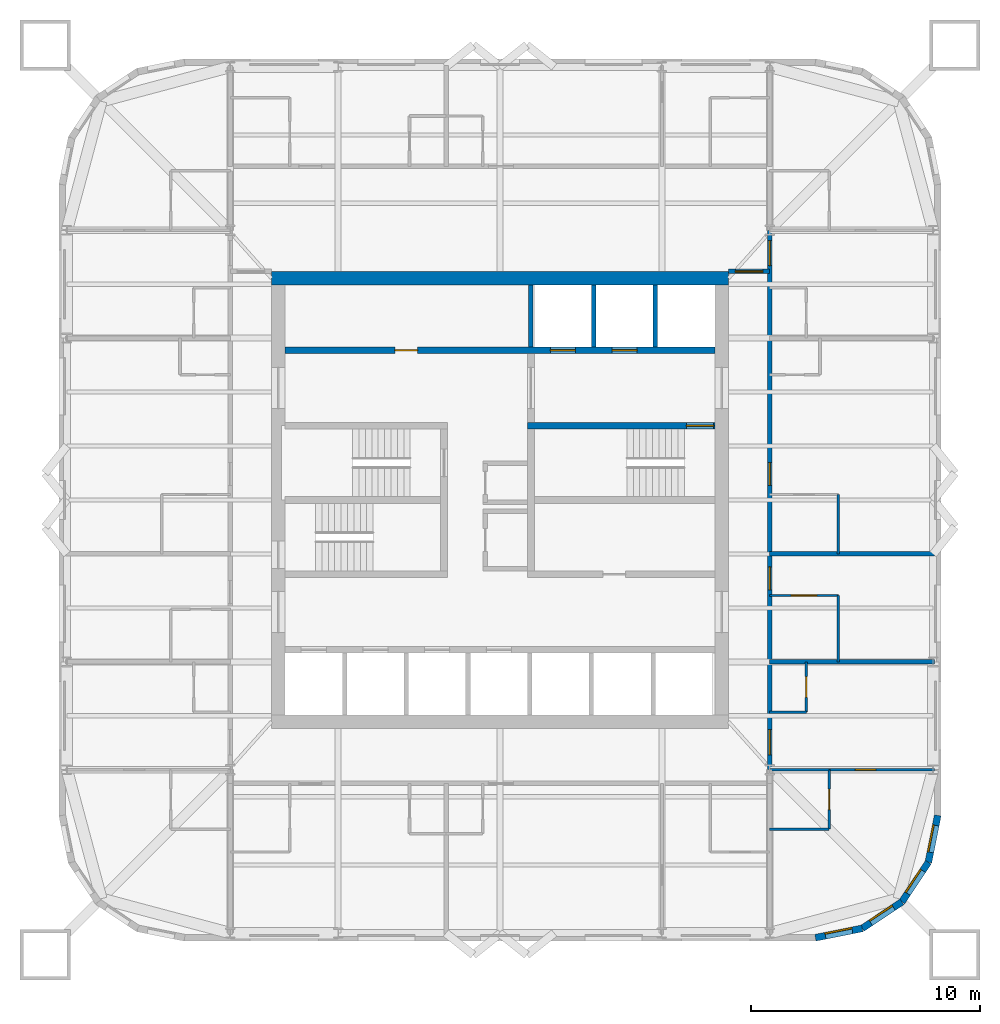
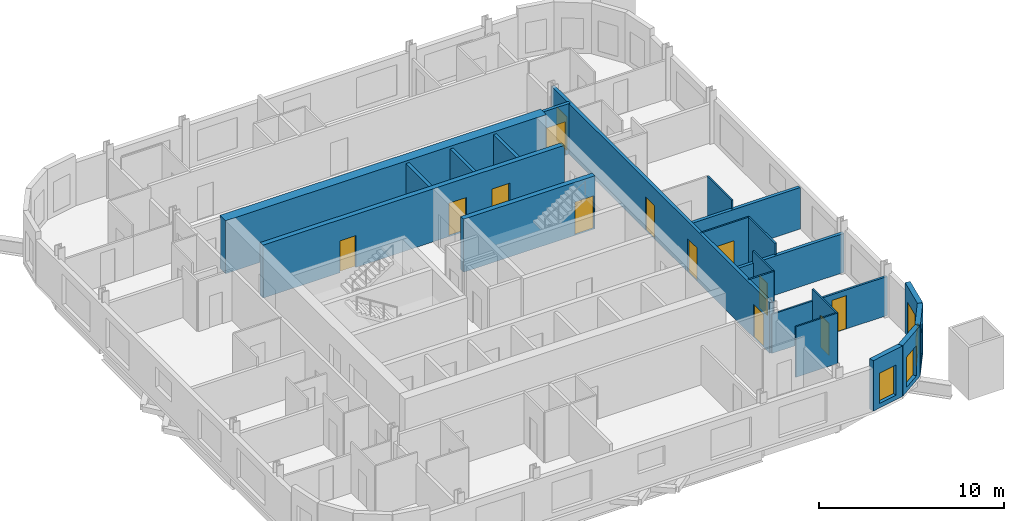
# One storey, part 5 of 8: 23 walls, 13 doors, 4 windows, 17 openings.
"""IFC4 building model written with IfcOpenShell, lengths in metres."""

from ifc_helpers import new_model, si_unit, direction, frame, frame_2d, origin, place, context, subcontext, project, spatial, rectangle, extrude, material, layer, layer_set, type_object, element, fill, save


model = new_model("IFC4")

# Units and contexts
model_context = context("Model", 3, precision=1e-05, world=origin(), true_north=direction((0.0, 1.0)))
body_context = subcontext(model_context, "Body", "Model", "MODEL_VIEW")
ifc_project = project(units=[si_unit("LENGTHUNIT", "METRE"), si_unit("AREAUNIT", "SQUARE_METRE"), si_unit("VOLUMEUNIT", "CUBIC_METRE"), si_unit("PLANEANGLEUNIT", "RADIAN"), si_unit("MASSUNIT", "GRAM", prefix="KILO")], contexts=[model_context])

# Site, building, storey
site_placement = place(None, origin())
site = spatial("IfcSite", under=ifc_project, at=site_placement, CompositionType="ELEMENT")
building_placement = place(site_placement, origin())
building = spatial("IfcBuilding", under=site, at=building_placement, Name="Turquesa Mirador Hotel Tower", CompositionType="ELEMENT")
storey_placement = place(building_placement, frame((0.0, 0.0, 193.300048828125)))
storey = spatial("IfcBuildingStorey", under=building, at=storey_placement, Name="L52", CompositionType="ELEMENT", Elevation=193.300048828125)

# Walls
ifc_material_1 = material(Name="Gypsum board on steel studs", Category="steel")
ifc_layer_1 = layer(ifc_material_1, 0.10009765625)
ifc_layer_set_1 = layer_set([ifc_layer_1], Name="BATHROOM WALL 100")
wall_type_1 = type_object("IfcWallType", Name="BATHROOM WALL 100", PredefinedType="PARTITIONING", material=ifc_layer_set_1)
wall_1_placement = place(storey_placement, frame((66.800048828125, 33.199951171875, 0.0), z_axis=(0.0, 0.0, 1.0), x_axis=(1.0, 0.0, 0.0)))
element("IfcWall", 1, at=wall_1_placement, inside=storey, type_object=wall_type_1, Name="Partition L52 002", PredefinedType="PARTITIONING", context=body_context, shape_type="SweptSolid", body=[
    extrude(rectangle(XDim=2.599853515625, YDim=0.10009765625, at=frame_2d((1.2998046875, 0.0))), origin(), (0.0, 0.0, 1.0), 2.572998046875),
])
wall_2_placement = place(storey_placement, frame((66.800048828125, 30.60009765625, 0.0), z_axis=(0.0, 0.0, 1.0), x_axis=(1.0, 0.0, 0.0)))
element("IfcWall", 2, at=wall_2_placement, inside=storey, type_object=wall_type_1, Name="Partition L52 007", PredefinedType="PARTITIONING", context=body_context, shape_type="SweptSolid", body=[
    extrude(rectangle(XDim=2.599853515625, YDim=0.10009765625, at=frame_2d((1.2998046875, 0.0))), origin(), (0.0, 0.0, 1.0), 3.329833984375),
])

# Wall, opening, door
wall_3_placement = place(storey_placement, frame((66.800048828125, 40.820068359375, 0.0), z_axis=(0.0, 0.0, 1.0), x_axis=(1.0, 0.0, 0.0)))
wall_3 = element("IfcWall", 3, at=wall_3_placement, inside=storey, type_object=wall_type_1, Name="Partition L52 014", PredefinedType="PARTITIONING", context=body_context, shape_type="SweptSolid", body=[
    extrude(rectangle(XDim=3.0, YDim=0.10009765625, at=frame_2d((1.5, 0.0))), origin(), (0.0, 0.0, 1.0), 3.329833984375),
])
opening_1_placement = place(wall_3_placement, frame((0.949951171875, 0.0, 0.0)))
opening_1 = element("IfcOpeningElement", 4, at=opening_1_placement, cuts=wall_3, Name="Opening D16", PredefinedType="OPENING", context=body_context, shape_type="SweptSolid", body=[
    extrude(rectangle(XDim=1.10009765625, YDim=2.10009765625, at=frame_2d((0.550048828125, 1.050048828125))), frame((0.0, 0.06005859375, 0.0), z_axis=(0.0, -1.0, 0.0), x_axis=(1.0, 0.0, 0.0)), (0.0, 0.0, 1.0), 0.1201171875),
])
ifc_material_2 = material(Name="Timber veneered sliding door", Category="wood")
door_type_1 = type_object("IfcDoorType", Name="DOOR 1100X2100 ACCESSIBLE EN-SUITE", OperationType="SLIDING_TO_LEFT", PredefinedType="DOOR", material=ifc_material_2)
door_1_placement = place(opening_1_placement, origin())
door_1 = element("IfcDoor", 5, at=door_1_placement, inside=storey, type_object=door_type_1, Name="Door 5205B", OperationType="SLIDING_TO_LEFT", OverallHeight=2.10009765625, OverallWidth=1.10009765625, PredefinedType="DOOR", context=body_context, shape_type="SweptSolid", body=[
    extrude(rectangle(XDim=1.10009765625, YDim=2.10009765625, at=frame_2d((0.550048828125, 1.050048828125))), frame((0.0, 0.02490234375, 0.0), z_axis=(0.0, -1.0, 0.0), x_axis=(1.0, 0.0, 0.0)), (0.0, 0.0, 1.0), 0.050048828125),
])
fill(opening_1, door_1)

# Wall
wall_4_placement = place(storey_placement, frame((66.800048828125, 35.719970703125, 0.0), z_axis=(0.0, 0.0, 1.0), x_axis=(1.0, 0.0, 0.0)))
element("IfcWall", 6, at=wall_4_placement, inside=storey, type_object=wall_type_1, Name="Partition L52 019", PredefinedType="PARTITIONING", context=body_context, shape_type="SweptSolid", body=[
    extrude(rectangle(XDim=1.599853515625, YDim=0.10009765625, at=frame_2d((0.7998046875, 0.0))), origin(), (0.0, 0.0, 1.0), 3.329833984375),
])

# Wall, opening, door
wall_5_placement = place(storey_placement, frame((68.39990234375, 35.719970703125, 0.0), z_axis=(0.0, 0.0, 1.0), x_axis=(0.0, 1.0, 0.0)))
wall_5 = element("IfcWall", 7, at=wall_5_placement, inside=storey, type_object=wall_type_1, Name="Partition L52 062", PredefinedType="PARTITIONING", context=body_context, shape_type="SweptSolid", body=[
    extrude(rectangle(XDim=2.199951171875, YDim=0.10009765625, at=frame_2d((1.10009765625, 0.0))), origin(), (0.0, 0.0, 1.0), 3.329833984375),
])
opening_2_placement = place(wall_5_placement, frame((0.64990234375, 0.0, 0.0)))
opening_2 = element("IfcOpeningElement", 8, at=opening_2_placement, cuts=wall_5, Name="Opening D06", PredefinedType="OPENING", context=body_context, shape_type="SweptSolid", body=[
    extrude(rectangle(XDim=0.89990234375, YDim=2.10009765625, at=frame_2d((0.449951171875, 1.050048828125))), frame((0.0, 0.06005859375, 0.0), z_axis=(0.0, -1.0, 0.0), x_axis=(1.0, 0.0, 0.0)), (0.0, 0.0, 1.0), 0.1201171875),
])
ifc_material_3 = material(Name="Laminate door", Category="wood")
door_type_2 = type_object("IfcDoorType", Name="DOOR 900X2100 WC", OperationType="SINGLE_SWING_LEFT", PredefinedType="DOOR", material=ifc_material_3)
door_2_placement = place(opening_2_placement, origin())
door_2 = element("IfcDoor", 9, at=door_2_placement, inside=storey, type_object=door_type_2, Name="Door 5212W", OperationType="SINGLE_SWING_LEFT", OverallHeight=2.10009765625, OverallWidth=0.89990234375, PredefinedType="DOOR", context=body_context, shape_type="SweptSolid", body=[
    extrude(rectangle(XDim=0.89990234375, YDim=2.10009765625, at=frame_2d((0.449951171875, 1.050048828125))), frame((0.0, 0.02490234375, 0.0), z_axis=(0.0, -1.0, 0.0), x_axis=(1.0, 0.0, 0.0)), (0.0, 0.0, 1.0), 0.050048828125),
])
fill(opening_2, door_2)

wall_6_placement = place(storey_placement, frame((69.39990234375, 30.60009765625, 0.0), z_axis=(0.0, 0.0, 1.0), x_axis=(0.0, 1.0, 0.0)))
wall_6 = element("IfcWall", 10, at=wall_6_placement, inside=storey, type_object=wall_type_1, Name="Partition L52 065", PredefinedType="PARTITIONING", context=body_context, shape_type="SweptSolid", body=[
    extrude(rectangle(XDim=2.599853515625, YDim=0.10009765625, at=frame_2d((1.2998046875, 0.0))), origin(), (0.0, 0.0, 1.0), 3.329833984375),
])
opening_3_placement = place(wall_6_placement, frame((0.85009765625, 0.0, 0.0)))
opening_3 = element("IfcOpeningElement", 11, at=opening_3_placement, cuts=wall_6, Name="Opening D02", PredefinedType="OPENING", context=body_context, shape_type="SweptSolid", body=[
    extrude(rectangle(XDim=0.89990234375, YDim=2.10009765625, at=frame_2d((0.449951171875, 1.050048828125))), frame((0.0, 0.06005859375, 0.0), z_axis=(0.0, -1.0, 0.0), x_axis=(1.0, 0.0, 0.0)), (0.0, 0.0, 1.0), 0.1201171875),
])
ifc_material_4 = material(Name="Timber veneered door", Category="wood")
door_type_3 = type_object("IfcDoorType", Name="DOOR 900X2100 EN-SUITE", OperationType="SINGLE_SWING_RIGHT", PredefinedType="DOOR", material=ifc_material_4)
door_3_placement = place(opening_3_placement, origin())
door_3 = element("IfcDoor", 12, at=door_3_placement, inside=storey, type_object=door_type_3, Name="Door 5212B", OperationType="SINGLE_SWING_RIGHT", OverallHeight=2.10009765625, OverallWidth=0.89990234375, PredefinedType="DOOR", context=body_context, shape_type="SweptSolid", body=[
    extrude(rectangle(XDim=0.89990234375, YDim=2.10009765625, at=frame_2d((0.449951171875, 1.050048828125))), frame((0.0, 0.02490234375, 0.0), z_axis=(0.0, -1.0, 0.0), x_axis=(1.0, 0.0, 0.0)), (0.0, 0.0, 1.0), 0.050048828125),
])
fill(opening_3, door_3)

# Walls
wall_7_placement = place(storey_placement, frame((69.800048828125, 37.919921875, 0.0), z_axis=(0.0, 0.0, 1.0), x_axis=(0.0, 1.0, 0.0)))
element("IfcWall", 13, at=wall_7_placement, inside=storey, type_object=wall_type_1, Name="Partition L52 067", PredefinedType="PARTITIONING", context=body_context, shape_type="SweptSolid", body=[
    extrude(rectangle(XDim=2.900146484375, YDim=0.10009765625, at=frame_2d((1.4501953125, 0.0))), origin(), (0.0, 0.0, 1.0), 3.329833984375),
])
wall_8_placement = place(storey_placement, frame((69.800048828125, 42.639892578125, 0.0), z_axis=(0.0, 0.0, 1.0), x_axis=(0.0, 1.0, 0.0)))
element("IfcWall", 14, at=wall_8_placement, inside=storey, type_object=wall_type_1, Name="Partition L52 068", PredefinedType="PARTITIONING", context=body_context, shape_type="SweptSolid", body=[
    extrude(rectangle(XDim=2.60009765625, YDim=0.10009765625, at=frame_2d((1.300048828125, 0.0))), origin(), (0.0, 0.0, 1.0), 3.329833984375),
])

# Wall, openings, doors
ifc_material_5 = material(Name="Concrete C50/60", Category="concrete")
ifc_layer_2 = layer(ifc_material_5, 0.300048828125)
ifc_layer_set_2 = layer_set([ifc_layer_2], Name="CORE INNER WALL 300")
wall_type_2 = type_object("IfcWallType", Name="CORE INNER WALL 300", PredefinedType="SHEAR", material=ifc_layer_set_2)
wall_9_placement = place(storey_placement, frame((45.60009765625, 51.550048828125, 0.0), z_axis=(0.0, 0.0, 1.0), x_axis=(1.0, 0.0, 0.0)))
wall_9 = element("IfcWall", 15, at=wall_9_placement, inside=storey, type_object=wall_type_2, Name="Core wall NL", PredefinedType="SHEAR", context=body_context, shape_type="SweptSolid", body=[
    extrude(rectangle(XDim=18.7998046875, YDim=0.300048828125, at=frame_2d((9.39990234375, 0.0))), origin(), (0.0, 0.0, 1.0), 3.5),
])
opening_4_placement = place(wall_9_placement, frame((4.800048828125, 0.0, 0.0)))
opening_4 = element("IfcOpeningElement", 16, at=opening_4_placement, cuts=wall_9, Name="Opening D05", PredefinedType="OPENING", context=body_context, shape_type="SweptSolid", body=[
    extrude(rectangle(XDim=1.0, YDim=2.10009765625, at=frame_2d((0.5, 1.050048828125))), frame((0.0, 0.159912109375, 0.0), z_axis=(0.0, -1.0, 0.0), x_axis=(1.0, 0.0, 0.0)), (0.0, 0.0, 1.0), 0.320068359375),
])
opening_5_placement = place(wall_9_placement, frame((11.60009765625, 0.0, 0.0)))
opening_5 = element("IfcOpeningElement", 17, at=opening_5_placement, cuts=wall_9, Name="Opening LD", PredefinedType="OPENING", context=body_context, shape_type="SweptSolid", body=[
    extrude(rectangle(XDim=1.10009765625, YDim=2.199951171875, at=frame_2d((0.550048828125, 1.10009765625))), frame((0.0, 0.159912109375, 0.0), z_axis=(0.0, -1.0, 0.0), x_axis=(1.0, 0.0, 0.0)), (0.0, 0.0, 1.0), 0.320068359375),
])
opening_6_placement = place(wall_9_placement, frame((14.300048828125, 0.0, 0.0)))
opening_6 = element("IfcOpeningElement", 18, at=opening_6_placement, cuts=wall_9, Name="Opening LD", PredefinedType="OPENING", context=body_context, shape_type="SweptSolid", body=[
    extrude(rectangle(XDim=1.10009765625, YDim=2.199951171875, at=frame_2d((0.550048828125, 1.10009765625))), frame((0.0, 0.159912109375, 0.0), z_axis=(0.0, -1.0, 0.0), x_axis=(1.0, 0.0, 0.0)), (0.0, 0.0, 1.0), 0.320068359375),
])
ifc_material_6 = material(Name="Steel fire door", Category="steel")
door_type_4 = type_object("IfcDoorType", Name="DOOR 1000X2100 SERVICE", OperationType="SINGLE_SWING_LEFT", PredefinedType="DOOR", material=ifc_material_6)
door_4_placement = place(opening_4_placement, origin())
door_4 = element("IfcDoor", 19, at=door_4_placement, inside=storey, type_object=door_type_4, Name="Linen store door", OperationType="SINGLE_SWING_LEFT", OverallHeight=2.10009765625, OverallWidth=1.0, PredefinedType="DOOR", context=body_context, shape_type="SweptSolid", body=[
    extrude(rectangle(XDim=1.0, YDim=2.10009765625, at=frame_2d((0.5, 1.050048828125))), frame((0.0, 0.02490234375, 0.0), z_axis=(0.0, -1.0, 0.0), x_axis=(1.0, 0.0, 0.0)), (0.0, 0.0, 1.0), 0.050048828125),
])
fill(opening_4, door_4)
ifc_material_7 = material(Name="Stainless steel lift landing door", Category="steel")
door_type_5 = type_object("IfcDoorType", Name="LIFT LANDING DOOR 1100X2200", OperationType="SLIDING_TO_LEFT", PredefinedType="DOOR", material=ifc_material_7)
door_5_placement = place(opening_5_placement, origin())
door_5 = element("IfcDoor", 20, at=door_5_placement, inside=storey, type_object=door_type_5, Name="Lift S1 landing door", OperationType="SLIDING_TO_LEFT", OverallHeight=2.199951171875, OverallWidth=1.10009765625, PredefinedType="DOOR", context=body_context, shape_type="SweptSolid", body=[
    extrude(rectangle(XDim=1.10009765625, YDim=2.199951171875, at=frame_2d((0.550048828125, 1.10009765625))), frame((0.0, 0.02490234375, 0.0), z_axis=(0.0, -1.0, 0.0), x_axis=(1.0, 0.0, 0.0)), (0.0, 0.0, 1.0), 0.050048828125),
])
fill(opening_5, door_5)
door_6_placement = place(opening_6_placement, origin())
door_6 = element("IfcDoor", 21, at=door_6_placement, inside=storey, type_object=door_type_5, Name="Lift S2 landing door", OperationType="SLIDING_TO_LEFT", OverallHeight=2.199951171875, OverallWidth=1.10009765625, PredefinedType="DOOR", context=body_context, shape_type="SweptSolid", body=[
    extrude(rectangle(XDim=1.10009765625, YDim=2.199951171875, at=frame_2d((0.550048828125, 1.10009765625))), frame((0.0, 0.02490234375, 0.0), z_axis=(0.0, -1.0, 0.0), x_axis=(1.0, 0.0, 0.0)), (0.0, 0.0, 1.0), 0.050048828125),
])
fill(opening_6, door_6)

# Wall, opening, door
wall_10_placement = place(storey_placement, frame((56.199951171875, 48.25, 0.0), z_axis=(0.0, 0.0, 1.0), x_axis=(1.0, 0.0, 0.0)))
wall_10 = element("IfcWall", 22, at=wall_10_placement, inside=storey, type_object=wall_type_2, Name="Core wall MN-E", PredefinedType="SHEAR", context=body_context, shape_type="SweptSolid", body=[
    extrude(rectangle(XDim=8.199951171875, YDim=0.300048828125, at=frame_2d((4.10009765625, 0.0))), origin(), (0.0, 0.0, 1.0), 3.5),
])
opening_7_placement = place(wall_10_placement, frame((6.949951171875, 0.0, 0.0)))
opening_7 = element("IfcOpeningElement", 23, at=opening_7_placement, cuts=wall_10, Name="Opening D03", PredefinedType="OPENING", context=body_context, shape_type="SweptSolid", body=[
    extrude(rectangle(XDim=1.199951171875, YDim=2.199951171875, at=frame_2d((0.60009765625, 1.10009765625))), frame((0.0, 0.159912109375, 0.0), z_axis=(0.0, -1.0, 0.0), x_axis=(1.0, 0.0, 0.0)), (0.0, 0.0, 1.0), 0.320068359375),
])
ifc_material_8 = material(Name="Steel fire door", Category="steel")
door_type_6 = type_object("IfcDoorType", Name="DOOR 1200X2200 STAIR", OperationType="SINGLE_SWING_LEFT", PredefinedType="DOOR", material=ifc_material_8)
door_7_placement = place(opening_7_placement, origin())
door_7 = element("IfcDoor", 24, at=door_7_placement, inside=storey, type_object=door_type_6, Name="Stair ST3 door", OperationType="SINGLE_SWING_LEFT", OverallHeight=2.199951171875, OverallWidth=1.199951171875, PredefinedType="DOOR", context=body_context, shape_type="SweptSolid", body=[
    extrude(rectangle(XDim=1.199951171875, YDim=2.199951171875, at=frame_2d((0.60009765625, 1.10009765625))), frame((0.0, 0.02490234375, 0.0), z_axis=(0.0, -1.0, 0.0), x_axis=(1.0, 0.0, 0.0)), (0.0, 0.0, 1.0), 0.050048828125),
])
fill(opening_7, door_7)

# Wall
ifc_material_9 = material(Name="Concrete C50/60", Category="concrete")
ifc_layer_3 = layer(ifc_material_9, 0.60009765625)
ifc_layer_set_3 = layer_set([ifc_layer_3], Name="CORE WALL 600")
wall_type_3 = type_object("IfcWallType", Name="CORE WALL 600", PredefinedType="SHEAR", material=ifc_layer_set_3)
wall_11_placement = place(storey_placement, frame((45.0, 54.699951171875, 0.0), z_axis=(0.0, 0.0, 1.0), x_axis=(1.0, 0.0, 0.0)))
element("IfcWall", 25, at=wall_11_placement, inside=storey, type_object=wall_type_3, Name="Core wall N", PredefinedType="SHEAR", context=body_context, shape_type="SweptSolid", body=[
    extrude(rectangle(XDim=20.0, YDim=0.60009765625, at=frame_2d((10.0, 0.0))), origin(), (0.0, 0.0, 1.0), 3.5),
])

# Wall, opening, door
ifc_material_10 = material(Name="Fire-rated gypsum board on steel studs", Category="steel")
ifc_layer_4 = layer(ifc_material_10, 0.199951171875)
ifc_layer_set_4 = layer_set([ifc_layer_4], Name="CORRIDOR WALL 200")
wall_type_4 = type_object("IfcWallType", Name="CORRIDOR WALL 200", PredefinedType="PARTITIONING", material=ifc_layer_set_4)
wall_12_placement = place(storey_placement, frame((65.0, 55.0, 0.0), z_axis=(0.0, 0.0, 1.0), x_axis=(1.0, 0.0, 0.0)))
wall_12 = element("IfcWall", 26, at=wall_12_placement, inside=storey, type_object=wall_type_4, Name="Partition L52 023", PredefinedType="PARTITIONING", context=body_context, shape_type="SweptSolid", body=[
    extrude(rectangle(XDim=1.800048828125, YDim=0.199951171875, at=frame_2d((0.89990234375, 0.0))), origin(), (0.0, 0.0, 1.0), 3.329833984375),
])
opening_8_placement = place(wall_12_placement, frame((0.300048828125, 0.0, 0.0)))
opening_8 = element("IfcOpeningElement", 27, at=opening_8_placement, cuts=wall_12, Name="Opening D19", PredefinedType="OPENING", context=body_context, shape_type="SweptSolid", body=[
    extrude(rectangle(XDim=1.199951171875, YDim=2.199951171875, at=frame_2d((0.60009765625, 1.10009765625))), frame((0.0, 0.10986328125, 0.0), z_axis=(0.0, -1.0, 0.0), x_axis=(1.0, 0.0, 0.0)), (0.0, 0.0, 1.0), 0.219970703125),
])
ifc_material_11 = material(Name="Steel glazed fire door", Category="steel")
door_type_7 = type_object("IfcDoorType", Name="DOOR 1200X2200 FIRE DOOR GLAZED", OperationType="SINGLE_SWING_LEFT", PredefinedType="DOOR", material=ifc_material_11)
door_8_placement = place(opening_8_placement, origin())
door_8 = element("IfcDoor", 28, at=door_8_placement, inside=storey, type_object=door_type_7, Name="Door L52-C03-1", OperationType="SINGLE_SWING_LEFT", OverallHeight=2.199951171875, OverallWidth=1.199951171875, PredefinedType="DOOR", context=body_context, shape_type="SweptSolid", body=[
    extrude(rectangle(XDim=1.199951171875, YDim=2.199951171875, at=frame_2d((0.60009765625, 1.10009765625))), frame((0.0, 0.02490234375, 0.0), z_axis=(0.0, -1.0, 0.0), x_axis=(1.0, 0.0, 0.0)), (0.0, 0.0, 1.0), 0.050048828125),
])
fill(opening_8, door_8)

# Wall, openings, doors
wall_13_placement = place(storey_placement, frame((66.800048828125, 33.219970703125, 0.0), z_axis=(0.0, 0.0, 1.0), x_axis=(0.0, 1.0, 0.0)))
wall_13 = element("IfcWall", 29, at=wall_13_placement, inside=storey, type_object=wall_type_4, Name="Partition L52 059", PredefinedType="PARTITIONING", context=body_context, shape_type="SweptSolid", body=[
    extrude(rectangle(XDim=23.56005859375, YDim=0.199951171875, at=frame_2d((11.780029296875, 0.0))), origin(), (0.0, 0.0, 1.0), 3.329833984375),
])
opening_9_placement = place(wall_13_placement, frame((7.85009765625, 0.0, 0.0)))
opening_9 = element("IfcOpeningElement", 30, at=opening_9_placement, cuts=wall_13, Name="Opening D01", PredefinedType="OPENING", context=body_context, shape_type="SweptSolid", body=[
    extrude(rectangle(XDim=1.0, YDim=2.199951171875, at=frame_2d((0.5, 1.10009765625))), frame((0.0, 0.10986328125, 0.0), z_axis=(0.0, -1.0, 0.0), x_axis=(1.0, 0.0, 0.0)), (0.0, 0.0, 1.0), 0.219970703125),
])
opening_10_placement = place(wall_13_placement, frame((12.419921875, 0.0, 0.0)))
opening_10 = element("IfcOpeningElement", 31, at=opening_10_placement, cuts=wall_13, Name="Opening D01", PredefinedType="OPENING", context=body_context, shape_type="SweptSolid", body=[
    extrude(rectangle(XDim=1.0, YDim=2.199951171875, at=frame_2d((0.5, 1.10009765625))), frame((0.0, 0.10986328125, 0.0), z_axis=(0.0, -1.0, 0.0), x_axis=(1.0, 0.0, 0.0)), (0.0, 0.0, 1.0), 0.219970703125),
])
opening_11_placement = place(wall_13_placement, frame((22.030029296875, 0.0, 0.0)))
opening_11 = element("IfcOpeningElement", 32, at=opening_11_placement, cuts=wall_13, Name="Opening D15", PredefinedType="OPENING", context=body_context, shape_type="SweptSolid", body=[
    extrude(rectangle(XDim=1.10009765625, YDim=2.199951171875, at=frame_2d((0.550048828125, 1.10009765625))), frame((0.0, 0.10986328125, 0.0), z_axis=(0.0, -1.0, 0.0), x_axis=(1.0, 0.0, 0.0)), (0.0, 0.0, 1.0), 0.219970703125),
])
opening_12_placement = place(wall_13_placement, frame((0.6298828125, 0.0, 0.0)))
opening_12 = element("IfcOpeningElement", 33, at=opening_12_placement, cuts=wall_13, Name="Opening D15", PredefinedType="OPENING", context=body_context, shape_type="SweptSolid", body=[
    extrude(rectangle(XDim=1.10009765625, YDim=2.199951171875, at=frame_2d((0.550048828125, 1.10009765625))), frame((0.0, 0.10986328125, 0.0), z_axis=(0.0, -1.0, 0.0), x_axis=(1.0, 0.0, 0.0)), (0.0, 0.0, 1.0), 0.219970703125),
])
ifc_material_12 = material(Name="Timber veneered fire door", Category="wood")
door_type_8 = type_object("IfcDoorType", Name="DOOR 1000X2200 GUEST ENTRY", OperationType="SINGLE_SWING_LEFT", PredefinedType="DOOR", material=ifc_material_12)
door_9_placement = place(opening_9_placement, origin())
door_9 = element("IfcDoor", 34, at=door_9_placement, inside=storey, type_object=door_type_8, Name="Door 5205", OperationType="SINGLE_SWING_LEFT", OverallHeight=2.199951171875, OverallWidth=1.0, PredefinedType="DOOR", context=body_context, shape_type="SweptSolid", body=[
    extrude(rectangle(XDim=1.0, YDim=2.199951171875, at=frame_2d((0.5, 1.10009765625))), frame((0.0, 0.02490234375, 0.0), z_axis=(0.0, -1.0, 0.0), x_axis=(1.0, 0.0, 0.0)), (0.0, 0.0, 1.0), 0.050048828125),
])
fill(opening_9, door_9)
door_10_placement = place(opening_10_placement, origin())
door_10 = element("IfcDoor", 35, at=door_10_placement, inside=storey, type_object=door_type_8, Name="Door 5206", OperationType="SINGLE_SWING_LEFT", OverallHeight=2.199951171875, OverallWidth=1.0, PredefinedType="DOOR", context=body_context, shape_type="SweptSolid", body=[
    extrude(rectangle(XDim=1.0, YDim=2.199951171875, at=frame_2d((0.5, 1.10009765625))), frame((0.0, 0.02490234375, 0.0), z_axis=(0.0, -1.0, 0.0), x_axis=(1.0, 0.0, 0.0)), (0.0, 0.0, 1.0), 0.050048828125),
])
fill(opening_10, door_10)
ifc_material_13 = material(Name="Timber veneered fire door", Category="wood")
door_type_9 = type_object("IfcDoorType", Name="DOOR 1100X2200 SUITE ENTRY", OperationType="SINGLE_SWING_LEFT", PredefinedType="DOOR", material=ifc_material_13)
door_11_placement = place(opening_11_placement, origin())
door_11 = element("IfcDoor", 36, at=door_11_placement, inside=storey, type_object=door_type_9, Name="Door 5209", OperationType="SINGLE_SWING_LEFT", OverallHeight=2.199951171875, OverallWidth=1.10009765625, PredefinedType="DOOR", context=body_context, shape_type="SweptSolid", body=[
    extrude(rectangle(XDim=1.10009765625, YDim=2.199951171875, at=frame_2d((0.550048828125, 1.10009765625))), frame((0.0, 0.02490234375, 0.0), z_axis=(0.0, -1.0, 0.0), x_axis=(1.0, 0.0, 0.0)), (0.0, 0.0, 1.0), 0.050048828125),
])
fill(opening_11, door_11)
door_12_placement = place(opening_12_placement, origin())
door_12 = element("IfcDoor", 37, at=door_12_placement, inside=storey, type_object=door_type_9, Name="Door 5212", OperationType="SINGLE_SWING_LEFT", OverallHeight=2.199951171875, OverallWidth=1.10009765625, PredefinedType="DOOR", context=body_context, shape_type="SweptSolid", body=[
    extrude(rectangle(XDim=1.10009765625, YDim=2.199951171875, at=frame_2d((0.550048828125, 1.10009765625))), frame((0.0, 0.02490234375, 0.0), z_axis=(0.0, -1.0, 0.0), x_axis=(1.0, 0.0, 0.0)), (0.0, 0.0, 1.0), 0.050048828125),
])
fill(opening_12, door_12)

# Wall, opening, window
ifc_material_14 = material(Name="Limestone cladding on concrete block", Category="masonry")
ifc_layer_5 = layer(ifc_material_14, 0.300048828125)
ifc_layer_set_5 = layer_set([ifc_layer_5], Name="FACADE WALL 300 STONE SCREEN")
wall_type_5 = type_object("IfcWallType", Name="FACADE WALL 300 STONE SCREEN", PredefinedType="SOLIDWALL", material=ifc_layer_set_5)
wall_14_placement = place(storey_placement, frame((68.800048828125, 25.85009765625, 0.0), z_axis=(0.0, 0.0, 1.0), x_axis=(0.980787050784, 0.195081421501, 0.0)))
wall_14 = element("IfcWall", 38, at=wall_14_placement, inside=storey, type_object=wall_type_5, Name="Facade wall L52 00", PredefinedType="SOLIDWALL", context=body_context, shape_type="SweptSolid", body=[
    extrude(rectangle(XDim=2.08740234375, YDim=0.300048828125, at=frame_2d((1.043701171875, 0.0))), origin(), (0.0, 0.0, 1.0), 3.329833984375),
])
opening_13_placement = place(wall_14_placement, frame((0.443603515625, 0.0, 0.300048828125)))
opening_13 = element("IfcOpeningElement", 39, at=opening_13_placement, cuts=wall_14, Name="Opening WN4", PredefinedType="OPENING", context=body_context, shape_type="SweptSolid", body=[
    extrude(rectangle(XDim=1.199951171875, YDim=2.0, at=frame_2d((0.60009765625, 1.0))), frame((0.0, 0.159912109375, 0.0), z_axis=(0.0, -1.0, 0.0), x_axis=(1.0, 0.0, 0.0)), (0.0, 0.0, 1.0), 0.320068359375),
])
ifc_material_15 = material(Name="Ceramic-fritted laminated glass", Category="glass")
window_type = type_object("IfcWindowType", Name="FRITTED CORNER WINDOW 1200X2000", PartitioningType="DOUBLE_PANEL_HORIZONTAL", PredefinedType="WINDOW", material=ifc_material_15)
window_1_placement = place(opening_13_placement, origin())
window_1 = element("IfcWindow", 40, at=window_1_placement, inside=storey, type_object=window_type, Name="Window L52", OverallHeight=2.0, OverallWidth=1.199951171875, PartitioningType="SINGLE_PANEL", PredefinedType="WINDOW", context=body_context, shape_type="SweptSolid", body=[
    extrude(rectangle(XDim=1.199951171875, YDim=2.0, at=frame_2d((0.60009765625, 1.0))), frame((0.0, 0.130126953125, 0.0), z_axis=(0.0, -1.0, 0.0), x_axis=(1.0, 0.0, 0.0)), (0.0, 0.0, 1.0), 0.06005859375),
])
fill(opening_13, window_1)

wall_15_placement = place(storey_placement, frame((70.847412109375, 26.25732421875, 0.0), z_axis=(0.0, 0.0, 1.0), x_axis=(0.831474039234, 0.555563607591, 0.0)))
wall_15 = element("IfcWall", 41, at=wall_15_placement, inside=storey, type_object=wall_type_5, Name="Facade wall L52 01", PredefinedType="SOLIDWALL", context=body_context, shape_type="SweptSolid", body=[
    extrude(rectangle(XDim=2.08740234375, YDim=0.300048828125, at=frame_2d((1.043701171875, 0.0))), origin(), (0.0, 0.0, 1.0), 3.329833984375),
])
opening_14_placement = place(wall_15_placement, frame((0.443603515625, 0.0, 0.300048828125)))
opening_14 = element("IfcOpeningElement", 42, at=opening_14_placement, cuts=wall_15, Name="Opening WN4", PredefinedType="OPENING", context=body_context, shape_type="SweptSolid", body=[
    extrude(rectangle(XDim=1.199951171875, YDim=2.0, at=frame_2d((0.60009765625, 1.0))), frame((0.0, 0.159912109375, 0.0), z_axis=(0.0, -1.0, 0.0), x_axis=(1.0, 0.0, 0.0)), (0.0, 0.0, 1.0), 0.320068359375),
])
window_2_placement = place(opening_14_placement, origin())
window_2 = element("IfcWindow", 43, at=window_2_placement, inside=storey, type_object=window_type, Name="Window L52", OverallHeight=2.0, OverallWidth=1.199951171875, PartitioningType="SINGLE_PANEL", PredefinedType="WINDOW", context=body_context, shape_type="SweptSolid", body=[
    extrude(rectangle(XDim=1.199951171875, YDim=2.0, at=frame_2d((0.60009765625, 1.0))), frame((0.0, 0.130126953125, 0.0), z_axis=(0.0, -1.0, 0.0), x_axis=(1.0, 0.0, 0.0)), (0.0, 0.0, 1.0), 0.06005859375),
])
fill(opening_14, window_2)

wall_16_placement = place(storey_placement, frame((72.5830078125, 27.4169921875, 0.0), z_axis=(0.0, 0.0, 1.0), x_axis=(0.555563607591, 0.831474039234, 0.0)))
wall_16 = element("IfcWall", 44, at=wall_16_placement, inside=storey, type_object=wall_type_5, Name="Facade wall L52 02", PredefinedType="SOLIDWALL", context=body_context, shape_type="SweptSolid", body=[
    extrude(rectangle(XDim=2.08740234375, YDim=0.300048828125, at=frame_2d((1.043701171875, 0.0))), origin(), (0.0, 0.0, 1.0), 3.329833984375),
])
opening_15_placement = place(wall_16_placement, frame((0.443603515625, 0.0, 0.300048828125)))
opening_15 = element("IfcOpeningElement", 45, at=opening_15_placement, cuts=wall_16, Name="Opening WN4", PredefinedType="OPENING", context=body_context, shape_type="SweptSolid", body=[
    extrude(rectangle(XDim=1.199951171875, YDim=2.0, at=frame_2d((0.60009765625, 1.0))), frame((0.0, 0.159912109375, 0.0), z_axis=(0.0, -1.0, 0.0), x_axis=(1.0, 0.0, 0.0)), (0.0, 0.0, 1.0), 0.320068359375),
])
window_3_placement = place(opening_15_placement, origin())
window_3 = element("IfcWindow", 46, at=window_3_placement, inside=storey, type_object=window_type, Name="Window L52", OverallHeight=2.0, OverallWidth=1.199951171875, PartitioningType="SINGLE_PANEL", PredefinedType="WINDOW", context=body_context, shape_type="SweptSolid", body=[
    extrude(rectangle(XDim=1.199951171875, YDim=2.0, at=frame_2d((0.60009765625, 1.0))), frame((0.0, 0.130126953125, 0.0), z_axis=(0.0, -1.0, 0.0), x_axis=(1.0, 0.0, 0.0)), (0.0, 0.0, 1.0), 0.06005859375),
])
fill(opening_15, window_3)

wall_17_placement = place(storey_placement, frame((73.74267578125, 29.152587890625, 0.0), z_axis=(0.0, 0.0, 1.0), x_axis=(0.195081421501, 0.980787050784, 0.0)))
wall_17 = element("IfcWall", 47, at=wall_17_placement, inside=storey, type_object=wall_type_5, Name="Facade wall L52 03", PredefinedType="SOLIDWALL", context=body_context, shape_type="SweptSolid", body=[
    extrude(rectangle(XDim=2.08740234375, YDim=0.300048828125, at=frame_2d((1.043701171875, 0.0))), origin(), (0.0, 0.0, 1.0), 3.329833984375),
])
opening_16_placement = place(wall_17_placement, frame((0.443603515625, 0.0, 0.300048828125)))
opening_16 = element("IfcOpeningElement", 48, at=opening_16_placement, cuts=wall_17, Name="Opening WN4", PredefinedType="OPENING", context=body_context, shape_type="SweptSolid", body=[
    extrude(rectangle(XDim=1.199951171875, YDim=2.0, at=frame_2d((0.60009765625, 1.0))), frame((0.0, 0.159912109375, 0.0), z_axis=(0.0, -1.0, 0.0), x_axis=(1.0, 0.0, 0.0)), (0.0, 0.0, 1.0), 0.320068359375),
])
window_4_placement = place(opening_16_placement, origin())
window_4 = element("IfcWindow", 49, at=window_4_placement, inside=storey, type_object=window_type, Name="Window L52", OverallHeight=2.0, OverallWidth=1.199951171875, PartitioningType="SINGLE_PANEL", PredefinedType="WINDOW", context=body_context, shape_type="SweptSolid", body=[
    extrude(rectangle(XDim=1.199951171875, YDim=2.0, at=frame_2d((0.60009765625, 1.0))), frame((0.0, 0.130126953125, 0.0), z_axis=(0.0, -1.0, 0.0), x_axis=(1.0, 0.0, 0.0)), (0.0, 0.0, 1.0), 0.06005859375),
])
fill(opening_16, window_4)

# Walls
ifc_material_16 = material(Name="Fire-rated gypsum shaft wall on steel studs", Category="steel")
ifc_layer_6 = layer(ifc_material_16, 0.199951171875)
ifc_layer_set_6 = layer_set([ifc_layer_6], Name="LIFT SHAFT DIVIDER 200")
wall_type_6 = type_object("IfcWallType", Name="LIFT SHAFT DIVIDER 200", PredefinedType="PARTITIONING", material=ifc_layer_set_6)
for number, where, z_axis, x_axis, name in (
    (50, (59.10009765625, 51.699951171875, 0.0), (0.0, 0.0, 1.0), (0.0, 1.0, 0.0), "Lift shaft divider"),
    (51, (61.800048828125, 51.699951171875, 0.0), (0.0, 0.0, 1.0), (0.0, 1.0, 0.0), "Lift shaft divider"),
    (52, (56.35009765625, 51.699951171875, 0.0), (0.0, 0.0, 1.0), (0.0, 1.0, 0.0), "Lift shaft divider"),
):
    element("IfcWall", number, at=place(storey_placement, frame(where, z_axis=z_axis, x_axis=x_axis)), inside=storey, type_object=wall_type_6, Name=name, PredefinedType="PARTITIONING", context=body_context, shape_type="SweptSolid", body=[
        extrude(rectangle(XDim=2.699951171875, YDim=0.199951171875, at=frame_2d((1.35009765625, 0.0))), origin(), (0.0, 0.0, 1.0), 3.329833984375),
    ])
ifc_material_17 = material(Name="Fire-rated gypsum board on steel studs", Category="steel")
ifc_layer_7 = layer(ifc_material_17, 0.199951171875)
ifc_layer_set_7 = layer_set([ifc_layer_7], Name="PARTY WALL 200")
wall_type_7 = type_object("IfcWallType", Name="PARTY WALL 200", PredefinedType="PARTITIONING", material=ifc_layer_set_7)
wall_18_placement = place(storey_placement, frame((66.800048828125, 42.639892578125, 0.0), z_axis=(0.0, 0.0, 1.0), x_axis=(1.0, 0.0, 0.0)))
element("IfcWall", 53, at=wall_18_placement, inside=storey, type_object=wall_type_7, Name="Partition L52 013", PredefinedType="PARTITIONING", context=body_context, shape_type="SweptSolid", body=[
    extrude(rectangle(XDim=7.199951171875, YDim=0.199951171875, at=frame_2d((3.60009765625, 0.0))), origin(), (0.0, 0.0, 1.0), 2.73046875),
])
wall_19_placement = place(storey_placement, frame((66.800048828125, 37.919921875, 0.0), z_axis=(0.0, 0.0, 1.0), x_axis=(1.0, 0.0, 0.0)))
element("IfcWall", 54, at=wall_19_placement, inside=storey, type_object=wall_type_7, Name="Partition L52 017", PredefinedType="PARTITIONING", context=body_context, shape_type="SweptSolid", body=[
    extrude(rectangle(XDim=7.199951171875, YDim=0.199951171875, at=frame_2d((3.60009765625, 0.0))), origin(), (0.0, 0.0, 1.0), 2.572998046875),
])

# Wall, opening, door
ifc_material_18 = material(Name="Acoustic gypsum board on steel studs", Category="steel")
ifc_layer_8 = layer(ifc_material_18, 0.125)
ifc_layer_set_8 = layer_set([ifc_layer_8], Name="SUITE PARTITION 125")
wall_type_8 = type_object("IfcWallType", Name="SUITE PARTITION 125", PredefinedType="PARTITIONING", material=ifc_layer_set_8)
wall_20_placement = place(storey_placement, frame((69.39990234375, 33.199951171875, 0.0), z_axis=(0.0, 0.0, 1.0), x_axis=(1.0, 0.0, 0.0)))
wall_20 = element("IfcWall", 55, at=wall_20_placement, inside=storey, type_object=wall_type_8, Name="Partition L52 004", PredefinedType="PARTITIONING", context=body_context, shape_type="SweptSolid", body=[
    extrude(rectangle(XDim=4.60009765625, YDim=0.125, at=frame_2d((2.300048828125, 0.0))), origin(), (0.0, 0.0, 1.0), 2.572998046875),
])
opening_17_placement = place(wall_20_placement, frame((1.14990234375, 0.0, 0.0)))
opening_17 = element("IfcOpeningElement", 56, at=opening_17_placement, cuts=wall_20, Name="Opening D17", PredefinedType="OPENING", context=body_context, shape_type="SweptSolid", body=[
    extrude(rectangle(XDim=0.89990234375, YDim=2.199951171875, at=frame_2d((0.449951171875, 1.10009765625))), frame((0.0, 0.072509765625, 0.0), z_axis=(0.0, -1.0, 0.0), x_axis=(1.0, 0.0, 0.0)), (0.0, 0.0, 1.0), 0.14501953125),
])
ifc_material_19 = material(Name="Timber veneered door", Category="wood")
door_type_10 = type_object("IfcDoorType", Name="DOOR 900X2200 SUITE INTERNAL", OperationType="SINGLE_SWING_LEFT", PredefinedType="DOOR", material=ifc_material_19)
door_13_placement = place(opening_17_placement, origin())
door_13 = element("IfcDoor", 57, at=door_13_placement, inside=storey, type_object=door_type_10, Name="Door 5212R", OperationType="SINGLE_SWING_LEFT", OverallHeight=2.199951171875, OverallWidth=0.89990234375, PredefinedType="DOOR", context=body_context, shape_type="SweptSolid", body=[
    extrude(rectangle(XDim=0.89990234375, YDim=2.199951171875, at=frame_2d((0.449951171875, 1.10009765625))), frame((0.0, 0.02490234375, 0.0), z_axis=(0.0, -1.0, 0.0), x_axis=(1.0, 0.0, 0.0)), (0.0, 0.0, 1.0), 0.050048828125),
])
fill(opening_17, door_13)

save(model, "model.ifc")
